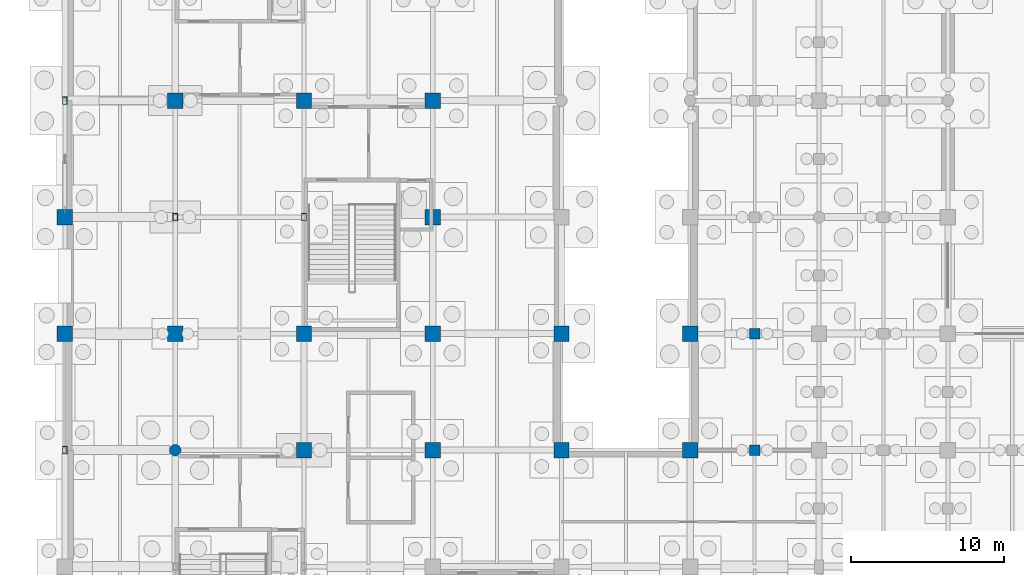
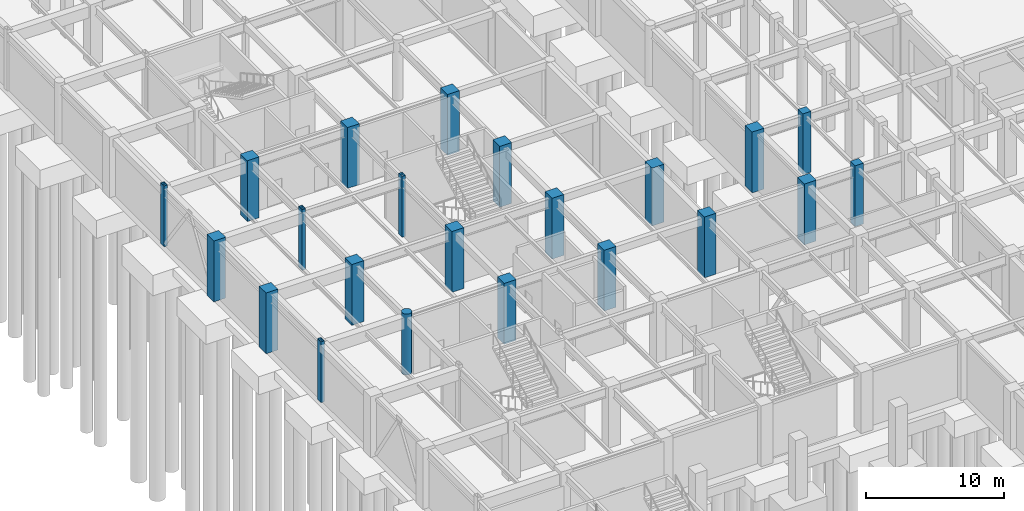
# One storey, part 16 of 52: 22 columns.
"""IFC4 building model written with IfcOpenShell, lengths in metres."""

from ifc_helpers import new_model, si_unit, direction, frame, origin, origin_2d, place, context, subcontext, project, spatial, rectangle, hollow_rectangle, circle, extrude, material, material_profile, profile_set, type_object, element, save


model = new_model("IFC4")

# Units and contexts
model_context = context("Model", 3, precision=1e-05, world=origin(), true_north=direction((0.0, 1.0)))
body_context = subcontext(model_context, "Body", "Model", "MODEL_VIEW")
ifc_project = project(units=[si_unit("LENGTHUNIT", "METRE"), si_unit("AREAUNIT", "SQUARE_METRE"), si_unit("VOLUMEUNIT", "CUBIC_METRE"), si_unit("PLANEANGLEUNIT", "RADIAN"), si_unit("MASSUNIT", "GRAM", prefix="KILO")], contexts=[model_context])

# Site, building, storey
site_placement = place(None, origin())
site = spatial("IfcSite", under=ifc_project, at=site_placement, CompositionType="ELEMENT")
building_placement = place(site_placement, origin())
building = spatial("IfcBuilding", under=site, at=building_placement, Name="Xicomal Pleat Aquarium", CompositionType="ELEMENT")
storey_placement = place(building_placement, frame((0.0, 0.0, -5.39990234375)))
storey = spatial("IfcBuildingStorey", under=building, at=storey_placement, Name="B1", CompositionType="ELEMENT", Elevation=-5.39990234375)

# Columns
ifc_material_1 = material(Name="Concrete C40/50", Category="concrete")
ifc_material_profile_1 = material_profile(ifc_material_1, rectangle(XDim=1.0, YDim=1.0, at=origin_2d()), Name="RC 1000x1000")
ifc_profile_set_1 = profile_set([ifc_material_profile_1], Name="Concrete C40/50")
column_type_1 = type_object("IfcColumnType", Name="COL-RC-1000x1000", PredefinedType="COLUMN", material=ifc_profile_set_1)
for number, where, z_axis, x_axis, name in (
    (1, (3.0, 45.60009765625, 0.0), (0.0, 0.0, 1.0), (1.0, 0.0, 0.0), "B1 column 01/G"),
    (2, (3.0, 53.199951171875, 0.0), (0.0, 0.0, 1.0), (1.0, 0.0, 0.0), "B1 column 01/H"),
    (3, (10.199951171875, 45.60009765625, 0.0), (0.0, 0.0, 1.0), (1.0, 0.0, 0.0), "B1 column 02/G"),
    (4, (10.199951171875, 60.800048828125, 0.0), (0.0, 0.0, 1.0), (1.0, 0.0, 0.0), "B1 column 02/J"),
    (5, (18.60009765625, 38.0, 0.0), (0.0, 0.0, 1.0), (1.0, 0.0, 0.0), "B1 column 03/F"),
    (6, (18.60009765625, 45.60009765625, 0.0), (0.0, 0.0, 1.0), (1.0, 0.0, 0.0), "B1 column 03/G"),
    (7, (18.60009765625, 60.800048828125, 0.0), (0.0, 0.0, 1.0), (1.0, 0.0, 0.0), "B1 column 03/J"),
    (8, (27.0, 38.0, 0.0), (0.0, 0.0, 1.0), (1.0, 0.0, 0.0), "B1 column 04/F"),
    (9, (27.0, 45.60009765625, 0.0), (0.0, 0.0, 1.0), (1.0, 0.0, 0.0), "B1 column 04/G"),
    (10, (27.0, 53.199951171875, 0.0), (0.0, 0.0, 1.0), (1.0, 0.0, 0.0), "B1 column 04/H"),
    (11, (27.0, 60.800048828125, 0.0), (0.0, 0.0, 1.0), (1.0, 0.0, 0.0), "B1 column 04/J"),
    (12, (35.39990234375, 38.0, 0.0), (0.0, 0.0, 1.0), (1.0, 0.0, 0.0), "B1 column 05/F"),
):
    element("IfcColumn", number, at=place(storey_placement, frame(where, z_axis=z_axis, x_axis=x_axis)), inside=storey, type_object=column_type_1, Name=name, PredefinedType="COLUMN", context=body_context, shape_type="SweptSolid", body=[
        extrude(rectangle(XDim=1.0, YDim=1.0, at=origin_2d()), origin(), (0.0, 0.0, 1.0), 5.39990234375),
    ])
column_1_placement = place(storey_placement, frame((35.39990234375, 45.60009765625, 0.0), z_axis=(0.0, 0.0, 1.0), x_axis=(1.0, 0.0, 0.0)))
element("IfcColumn", 13, at=column_1_placement, inside=storey, type_object=column_type_1, Name="B1 column 05/G", PredefinedType="COLUMN", context=body_context, shape_type="SweptSolid", body=[
    extrude(rectangle(XDim=1.0, YDim=1.0, at=origin_2d()), origin(), (0.0, 0.0, 1.0), 5.139892578125),
])
for number, where, z_axis, x_axis, name in (
    (14, (43.800048828125, 38.0, 0.0), (0.0, 0.0, 1.0), (1.0, 0.0, 0.0), "B1 column 06/F"),
    (15, (43.800048828125, 45.60009765625, 0.0), (0.0, 0.0, 1.0), (1.0, 0.0, 0.0), "B1 column 06/G"),
):
    element("IfcColumn", number, at=place(storey_placement, frame(where, z_axis=z_axis, x_axis=x_axis)), inside=storey, type_object=column_type_1, Name=name, PredefinedType="COLUMN", context=body_context, shape_type="SweptSolid", body=[
        extrude(rectangle(XDim=1.0, YDim=1.0, at=origin_2d()), origin(), (0.0, 0.0, 1.0), 5.39990234375),
    ])
ifc_material_2 = material(Name="Concrete C40/50", Category="concrete")
ifc_material_profile_2 = material_profile(ifc_material_2, rectangle(XDim=0.699951171875, YDim=0.699951171875, at=origin_2d()), Name="RC 700x700")
ifc_profile_set_2 = profile_set([ifc_material_profile_2], Name="Concrete C40/50")
column_type_2 = type_object("IfcColumnType", Name="COL-RC-700x700", PredefinedType="COLUMN", material=ifc_profile_set_2)
for number, where, z_axis, x_axis, name in (
    (16, (48.0, 38.0, 0.0), (0.0, 0.0, 1.0), (1.0, 0.0, 0.0), "B1 intermediate support column SUB-01"),
    (17, (48.0, 45.60009765625, 0.0), (0.0, 0.0, 1.0), (1.0, 0.0, 0.0), "B1 intermediate support column SUB-02"),
):
    element("IfcColumn", number, at=place(storey_placement, frame(where, z_axis=z_axis, x_axis=x_axis)), inside=storey, type_object=column_type_2, Name=name, PredefinedType="COLUMN", context=body_context, shape_type="SweptSolid", body=[
        extrude(rectangle(XDim=0.699951171875, YDim=0.699951171875, at=origin_2d()), origin(), (0.0, 0.0, 1.0), 5.39990234375),
    ])
ifc_material_3 = material(Name="Concrete C40/50", Category="concrete")
ifc_material_profile_3 = material_profile(ifc_material_3, circle(Radius=0.375, at=origin_2d()), Name="RCC D750")
ifc_profile_set_3 = profile_set([ifc_material_profile_3], Name="Concrete C40/50")
column_type_3 = type_object("IfcColumnType", Name="COL-RCC-D750", PredefinedType="COLUMN", material=ifc_profile_set_3)
column_2_placement = place(storey_placement, frame((10.199951171875, 38.0, 0.0), z_axis=(0.0, 0.0, 1.0), x_axis=(1.0, 0.0, 0.0)))
element("IfcColumn", 18, at=column_2_placement, inside=storey, type_object=column_type_3, Name="B1 column 02/F", PredefinedType="COLUMN", context=body_context, shape_type="SweptSolid", body=[
    extrude(circle(Radius=0.375, at=origin_2d()), origin(), (0.0, 0.0, 1.0), 5.39990234375),
])
ifc_material_4 = material(Name="Structural steel A500 Gr C", Category="steel")
ifc_material_profile_4 = material_profile(ifc_material_4, hollow_rectangle(XDim=0.300048828125, YDim=0.5, WallThickness=0.01611328125, at=origin_2d()), Name="OR 500x300x16")
ifc_profile_set_4 = profile_set([ifc_material_profile_4], Name="Structural steel A500 Gr C")
column_type_4 = type_object("IfcColumnType", Name="COL-STL-OR500", PredefinedType="COLUMN", material=ifc_profile_set_4)
for number, where, z_axis, x_axis, name in (
    (19, (3.0, 38.0, 0.0), (0.0, 0.0, 1.0), (1.0, 0.0, 0.0), "B1 column 01/F"),
    (20, (3.0, 60.800048828125, 0.0), (0.0, 0.0, 1.0), (1.0, 0.0, 0.0), "B1 column 01/J"),
    (21, (10.199951171875, 53.199951171875, 0.0), (0.0, 0.0, 1.0), (1.0, 0.0, 0.0), "B1 column 02/H"),
    (22, (18.60009765625, 53.199951171875, 0.0), (0.0, 0.0, 1.0), (1.0, 0.0, 0.0), "B1 column 03/H"),
):
    element("IfcColumn", number, at=place(storey_placement, frame(where, z_axis=z_axis, x_axis=x_axis)), inside=storey, type_object=column_type_4, Name=name, PredefinedType="COLUMN", context=body_context, shape_type="SweptSolid", body=[
        extrude(hollow_rectangle(XDim=0.300048828125, YDim=0.5, WallThickness=0.01611328125, at=origin_2d()), origin(), (0.0, 0.0, 1.0), 5.39990234375),
    ])

save(model, "model.ifc")
